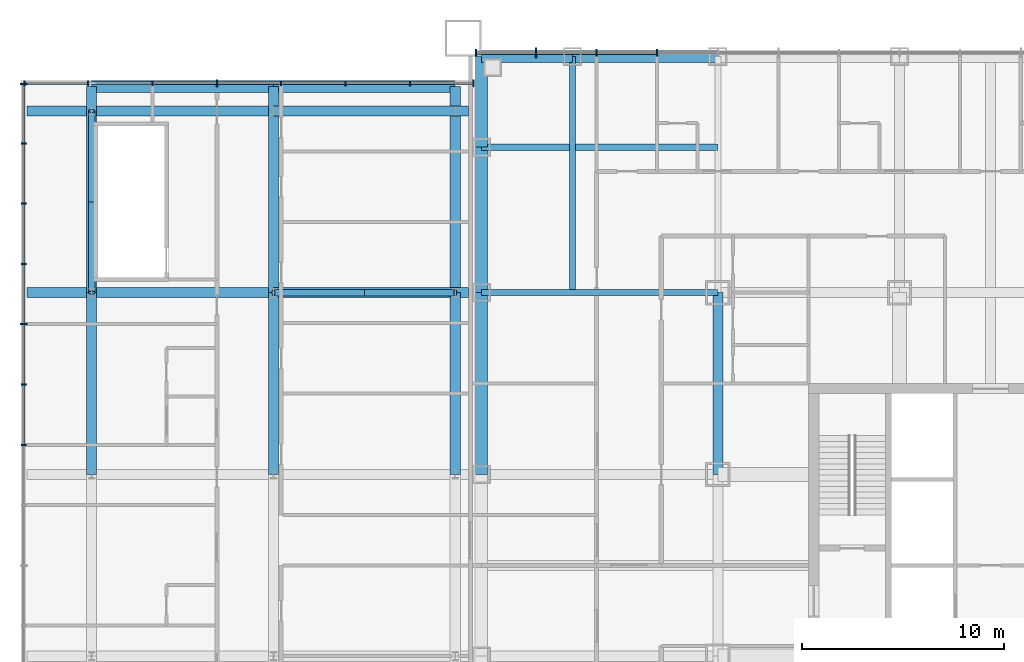
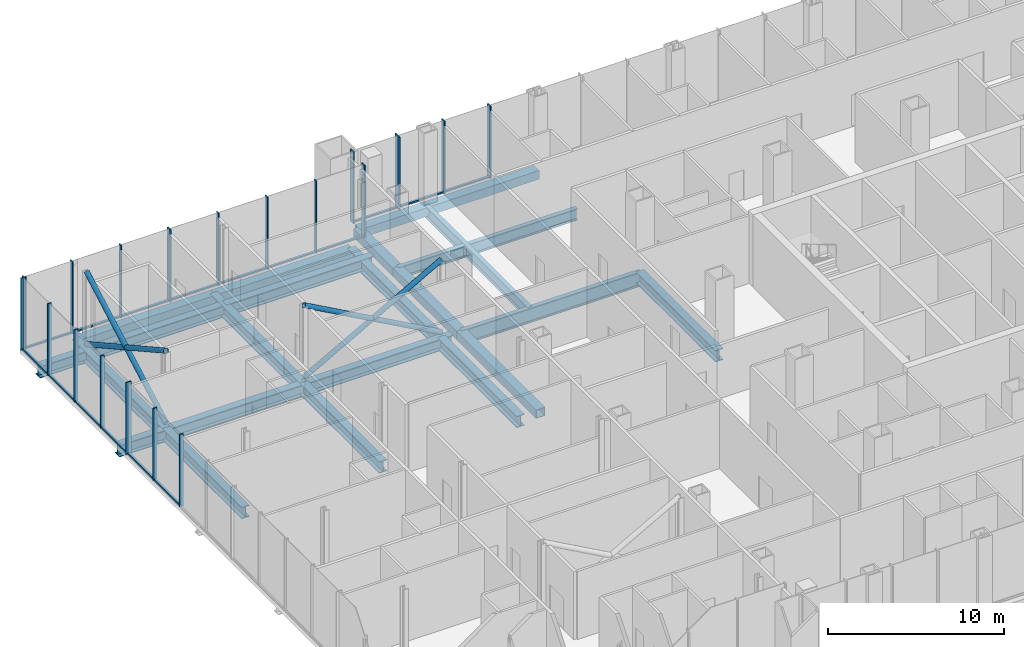
# One storey, part 8 of 28: 39 members, 21 beams, 3 elements without a shape of their own.
"""IFC4 building model written with IfcOpenShell, lengths in metres."""

from ifc_helpers import new_model, si_unit, direction, frame, origin, origin_2d, place, context, subcontext, project, spatial, rectangle, hollow_rectangle, hollow_circle, i_section, extrude, material, layer, layer_set, material_profile, profile_set, type_object, element, aggregate, save


model = new_model("IFC4")

# Units and contexts
model_context = context("Model", 3, precision=1e-05, world=origin(), true_north=direction((0.0, 1.0)))
body_context = subcontext(model_context, "Body", "Model", "MODEL_VIEW")
ifc_project = project(units=[si_unit("LENGTHUNIT", "METRE"), si_unit("AREAUNIT", "SQUARE_METRE"), si_unit("VOLUMEUNIT", "CUBIC_METRE"), si_unit("PLANEANGLEUNIT", "RADIAN"), si_unit("MASSUNIT", "GRAM", prefix="KILO")], contexts=[model_context])

# Site, building, storey
site_placement = place(None, origin())
site = spatial("IfcSite", under=ifc_project, at=site_placement, CompositionType="ELEMENT")
building_placement = place(site_placement, origin())
building = spatial("IfcBuilding", under=site, at=building_placement, Name="Malebo Sky Hospital", CompositionType="ELEMENT")
storey_placement = place(building_placement, frame((0.0, 0.0, 21.0)))
storey = spatial("IfcBuildingStorey", under=building, at=storey_placement, Name="L04", CompositionType="ELEMENT", Elevation=21.0)

# Curtain wall, members
ifc_material_1 = material(Name="Anodised aluminium, natural silver", Category="aluminium")
ifc_layer_1 = layer(ifc_material_1, 0.25)
ifc_layer_set_1 = layer_set([ifc_layer_1], Name="PODIUM CURTAIN WALL")
curtain_wall_type_1 = type_object("IfcCurtainWallType", Name="PODIUM CURTAIN WALL", PredefinedType="NOTDEFINED", material=ifc_layer_set_1)
curtain_wall_1_placement = place(storey_placement, origin())
curtain_wall_1 = element("IfcCurtainWall", 1, at=curtain_wall_1_placement, inside=storey, type_object=curtain_wall_type_1, Name="POD curtain wall WW", PredefinedType="NOTDEFINED")
ifc_material_profile_1 = material_profile(ifc_material_1, rectangle(XDim=0.14990234375, YDim=0.10009765625, at=origin_2d()), Name="ALUMINIUM TRANSOM 150x100")
ifc_profile_set_1 = profile_set([ifc_material_profile_1], Name="Anodised aluminium, natural silver")
member_type_1 = type_object("IfcMemberType", Name="ALUMINIUM TRANSOM 150x100", PredefinedType="USERDEFINED", material=ifc_profile_set_1)
member_1_placement = place(storey_placement, frame((12.125, 85.800048828125, 0.050048828125), z_axis=(0.0, -1.0, 0.0), x_axis=(1.0, 0.0, 0.0)))
member_1 = element("IfcMember", 2, at=member_1_placement, type_object=member_type_1, Name="Transom 1", ObjectType="TRANSOM", PredefinedType="USERDEFINED", context=body_context, shape_type="SweptSolid", body=[
    extrude(rectangle(XDim=0.14990234375, YDim=0.10009765625, at=origin_2d()), origin(), (0.0, 0.0, 1.0), 2.8720703125),
])
member_2_placement = place(storey_placement, frame((12.125, 82.85302734375, 0.050048828125), z_axis=(0.0, -1.0, 0.0), x_axis=(1.0, 0.0, 0.0)))
member_2 = element("IfcMember", 3, at=member_2_placement, type_object=member_type_1, Name="Transom 2", ObjectType="TRANSOM", PredefinedType="USERDEFINED", context=body_context, shape_type="SweptSolid", body=[
    extrude(rectangle(XDim=0.14990234375, YDim=0.10009765625, at=origin_2d()), origin(), (0.0, 0.0, 1.0), 2.909423828125),
])
member_3_placement = place(storey_placement, frame((12.125, 79.86865234375, 0.050048828125), z_axis=(0.0, -1.0, 0.0), x_axis=(1.0, 0.0, 0.0)))
member_3 = element("IfcMember", 4, at=member_3_placement, type_object=member_type_1, Name="Transom 3", ObjectType="TRANSOM", PredefinedType="USERDEFINED", context=body_context, shape_type="SweptSolid", body=[
    extrude(rectangle(XDim=0.14990234375, YDim=0.10009765625, at=origin_2d()), origin(), (0.0, 0.0, 1.0), 2.9091796875),
])
member_4_placement = place(storey_placement, frame((12.125, 76.884521484375, 0.050048828125), z_axis=(0.0, -1.0, 0.0), x_axis=(1.0, 0.0, 0.0)))
member_4 = element("IfcMember", 5, at=member_4_placement, type_object=member_type_1, Name="Transom 4", ObjectType="TRANSOM", PredefinedType="USERDEFINED", context=body_context, shape_type="SweptSolid", body=[
    extrude(rectangle(XDim=0.14990234375, YDim=0.10009765625, at=origin_2d()), origin(), (0.0, 0.0, 1.0), 2.909423828125),
])
member_5_placement = place(storey_placement, frame((12.125, 73.89990234375, 0.050048828125), z_axis=(0.0, -1.0, 0.0), x_axis=(1.0, 0.0, 0.0)))
member_5 = element("IfcMember", 6, at=member_5_placement, type_object=member_type_1, Name="Transom 5", ObjectType="TRANSOM", PredefinedType="USERDEFINED", context=body_context, shape_type="SweptSolid", body=[
    extrude(rectangle(XDim=0.14990234375, YDim=0.10009765625, at=origin_2d()), origin(), (0.0, 0.0, 1.0), 2.909423828125),
])
member_6_placement = place(storey_placement, frame((12.125, 70.91552734375, 0.050048828125), z_axis=(0.0, -1.0, 0.0), x_axis=(1.0, 0.0, 0.0)))
member_6 = element("IfcMember", 7, at=member_6_placement, type_object=member_type_1, Name="Transom 6", ObjectType="TRANSOM", PredefinedType="USERDEFINED", context=body_context, shape_type="SweptSolid", body=[
    extrude(rectangle(XDim=0.14990234375, YDim=0.10009765625, at=origin_2d()), origin(), (0.0, 0.0, 1.0), 2.9091796875),
])

curtain_wall_2_placement = place(storey_placement, origin())
curtain_wall_2 = element("IfcCurtainWall", 8, at=curtain_wall_2_placement, inside=storey, type_object=curtain_wall_type_1, Name="POD curtain wall WN", PredefinedType="NOTDEFINED")
member_7_placement = place(storey_placement, frame((34.375, 85.875, 0.050048828125), z_axis=(-1.0, 0.0, 0.0), x_axis=(0.0, -1.0, 0.0)))
member_7 = element("IfcMember", 9, at=member_7_placement, type_object=member_type_1, Name="Transom 1", ObjectType="TRANSOM", PredefinedType="USERDEFINED", context=body_context, shape_type="SweptSolid", body=[
    extrude(rectangle(XDim=0.14990234375, YDim=0.10009765625, at=origin_2d()), origin(), (0.0, 0.0, 1.0), 3.076904296875),
])
member_8_placement = place(storey_placement, frame((31.22314453125, 85.875, 0.050048828125), z_axis=(-1.0, 0.0, 0.0), x_axis=(0.0, -1.0, 0.0)))
member_8 = element("IfcMember", 10, at=member_8_placement, type_object=member_type_1, Name="Transom 2", ObjectType="TRANSOM", PredefinedType="USERDEFINED", context=body_context, shape_type="SweptSolid", body=[
    extrude(rectangle(XDim=0.14990234375, YDim=0.10009765625, at=origin_2d()), origin(), (0.0, 0.0, 1.0), 3.1142578125),
])
member_9_placement = place(storey_placement, frame((28.033935546875, 85.875, 0.050048828125), z_axis=(-1.0, 0.0, 0.0), x_axis=(0.0, -1.0, 0.0)))
member_9 = element("IfcMember", 11, at=member_9_placement, type_object=member_type_1, Name="Transom 3", ObjectType="TRANSOM", PredefinedType="USERDEFINED", context=body_context, shape_type="SweptSolid", body=[
    extrude(rectangle(XDim=0.14990234375, YDim=0.10009765625, at=origin_2d()), origin(), (0.0, 0.0, 1.0), 3.1142578125),
])
member_10_placement = place(storey_placement, frame((24.844482421875, 85.875, 0.050048828125), z_axis=(-1.0, 0.0, 0.0), x_axis=(0.0, -1.0, 0.0)))
member_10 = element("IfcMember", 12, at=member_10_placement, type_object=member_type_1, Name="Transom 4", ObjectType="TRANSOM", PredefinedType="USERDEFINED", context=body_context, shape_type="SweptSolid", body=[
    extrude(rectangle(XDim=0.14990234375, YDim=0.10009765625, at=origin_2d()), origin(), (0.0, 0.0, 1.0), 3.114013671875),
])
member_11_placement = place(storey_placement, frame((21.655517578125, 85.875, 0.050048828125), z_axis=(-1.0, 0.0, 0.0), x_axis=(0.0, -1.0, 0.0)))
member_11 = element("IfcMember", 13, at=member_11_placement, type_object=member_type_1, Name="Transom 5", ObjectType="TRANSOM", PredefinedType="USERDEFINED", context=body_context, shape_type="SweptSolid", body=[
    extrude(rectangle(XDim=0.14990234375, YDim=0.10009765625, at=origin_2d()), origin(), (0.0, 0.0, 1.0), 3.114501953125),
])
member_12_placement = place(storey_placement, frame((18.466064453125, 85.875, 0.050048828125), z_axis=(-1.0, 0.0, 0.0), x_axis=(0.0, -1.0, 0.0)))
member_12 = element("IfcMember", 14, at=member_12_placement, type_object=member_type_1, Name="Transom 6", ObjectType="TRANSOM", PredefinedType="USERDEFINED", context=body_context, shape_type="SweptSolid", body=[
    extrude(rectangle(XDim=0.14990234375, YDim=0.10009765625, at=origin_2d()), origin(), (0.0, 0.0, 1.0), 3.1142578125),
])
member_13_placement = place(storey_placement, frame((15.27685546875, 85.875, 0.050048828125), z_axis=(-1.0, 0.0, 0.0), x_axis=(0.0, -1.0, 0.0)))
member_13 = element("IfcMember", 15, at=member_13_placement, type_object=member_type_1, Name="Transom 7", ObjectType="TRANSOM", PredefinedType="USERDEFINED", context=body_context, shape_type="SweptSolid", body=[
    extrude(rectangle(XDim=0.14990234375, YDim=0.10009765625, at=origin_2d()), origin(), (0.0, 0.0, 1.0), 3.076904296875),
])

ifc_layer_2 = layer(ifc_material_1, 0.25)
ifc_layer_set_2 = layer_set([ifc_layer_2], Name="PODIUM ENTRANCE BAY CURTAIN WALL")
curtain_wall_type_2 = type_object("IfcCurtainWallType", Name="PODIUM ENTRANCE BAY CURTAIN WALL", PredefinedType="NOTDEFINED", material=ifc_layer_set_2)
curtain_wall_3_placement = place(storey_placement, origin())
curtain_wall_3 = element("IfcCurtainWall", 16, at=curtain_wall_3_placement, inside=storey, type_object=curtain_wall_type_2, Name="BAY curtain wall BN", PredefinedType="NOTDEFINED")
member_14_placement = place(storey_placement, frame((43.46240234375, 87.375, 0.050048828125), z_axis=(-1.0, 0.0, 0.0), x_axis=(0.0, -1.0, 0.0)))
member_14 = element("IfcMember", 17, at=member_14_placement, type_object=member_type_1, Name="Transom 15", ObjectType="TRANSOM", PredefinedType="USERDEFINED", context=body_context, shape_type="SweptSolid", body=[
    extrude(rectangle(XDim=0.14990234375, YDim=0.10009765625, at=origin_2d()), origin(), (0.0, 0.0, 1.0), 2.9248046875),
])
member_15_placement = place(storey_placement, frame((40.46240234375, 87.375, 0.050048828125), z_axis=(-1.0, 0.0, 0.0), x_axis=(0.0, -1.0, 0.0)))
member_15 = element("IfcMember", 18, at=member_15_placement, type_object=member_type_1, Name="Transom 16", ObjectType="TRANSOM", PredefinedType="USERDEFINED", context=body_context, shape_type="SweptSolid", body=[
    extrude(rectangle(XDim=0.14990234375, YDim=0.10009765625, at=origin_2d()), origin(), (0.0, 0.0, 1.0), 2.9248046875),
])
member_16_placement = place(storey_placement, frame((37.46240234375, 87.375, 0.050048828125), z_axis=(-1.0, 0.0, 0.0), x_axis=(0.0, -1.0, 0.0)))
member_16 = element("IfcMember", 19, at=member_16_placement, type_object=member_type_1, Name="Transom 17", ObjectType="TRANSOM", PredefinedType="USERDEFINED", context=body_context, shape_type="SweptSolid", body=[
    extrude(rectangle(XDim=0.14990234375, YDim=0.10009765625, at=origin_2d()), origin(), (0.0, 0.0, 1.0), 2.887451171875),
])

# Member
ifc_material_profile_2 = material_profile(ifc_material_1, rectangle(XDim=0.074951171875, YDim=0.25, at=origin_2d()), Name="CW3 ALUMINIUM FIN MULLION 75x250")
ifc_profile_set_2 = profile_set([ifc_material_profile_2], Name="Anodised aluminium, natural silver")
member_type_2 = type_object("IfcMemberType", Name="CW3 ALUMINIUM FIN MULLION 75x250", PredefinedType="MULLION", material=ifc_profile_set_2)
member_17_placement = place(storey_placement, frame((12.125, 82.890625, 0.0), z_axis=(0.0, 0.0, 1.0), x_axis=(0.0, -1.0, 0.0)))
member_17 = element("IfcMember", 20, at=member_17_placement, type_object=member_type_2, Name="Fin mullion 2", PredefinedType="MULLION", context=body_context, shape_type="SweptSolid", body=[
    extrude(rectangle(XDim=0.074951171875, YDim=0.25, at=origin_2d()), origin(), (0.0, 0.0, 1.0), 5.0),
])

member_18_placement = place(storey_placement, frame((12.125, 79.90625, 0.0), z_axis=(0.0, 0.0, 1.0), x_axis=(0.0, -1.0, 0.0)))
member_18 = element("IfcMember", 21, at=member_18_placement, type_object=member_type_2, Name="Fin mullion 3", PredefinedType="MULLION", context=body_context, shape_type="SweptSolid", body=[
    extrude(rectangle(XDim=0.074951171875, YDim=0.25, at=origin_2d()), origin(), (0.0, 0.0, 1.0), 5.0),
])

member_19_placement = place(storey_placement, frame((12.125, 76.921875, 0.0), z_axis=(0.0, 0.0, 1.0), x_axis=(0.0, -1.0, 0.0)))
member_19 = element("IfcMember", 22, at=member_19_placement, type_object=member_type_2, Name="Fin mullion 4", PredefinedType="MULLION", context=body_context, shape_type="SweptSolid", body=[
    extrude(rectangle(XDim=0.074951171875, YDim=0.25, at=origin_2d()), origin(), (0.0, 0.0, 1.0), 5.0),
])

member_20_placement = place(storey_placement, frame((12.125, 70.953125, 0.0), z_axis=(0.0, 0.0, 1.0), x_axis=(0.0, -1.0, 0.0)))
member_20 = element("IfcMember", 23, at=member_20_placement, type_object=member_type_2, Name="Fin mullion 6", PredefinedType="MULLION", context=body_context, shape_type="SweptSolid", body=[
    extrude(rectangle(XDim=0.074951171875, YDim=0.25, at=origin_2d()), origin(), (0.0, 0.0, 1.0), 5.0),
])

member_21_placement = place(storey_placement, frame((12.125, 67.96875, 0.0), z_axis=(0.0, 0.0, 1.0), x_axis=(0.0, -1.0, 0.0)))
member_21 = element("IfcMember", 24, at=member_21_placement, type_object=member_type_2, Name="Fin mullion 7", PredefinedType="MULLION", context=body_context, shape_type="SweptSolid", body=[
    extrude(rectangle(XDim=0.074951171875, YDim=0.25, at=origin_2d()), origin(), (0.0, 0.0, 1.0), 5.0),
])

member_22_placement = place(storey_placement, frame((31.2607421875, 85.875, 0.0), z_axis=(0.0, 0.0, 1.0), x_axis=(-1.0, 0.0, 0.0)))
member_22 = element("IfcMember", 25, at=member_22_placement, type_object=member_type_2, Name="Fin mullion 2", PredefinedType="MULLION", context=body_context, shape_type="SweptSolid", body=[
    extrude(rectangle(XDim=0.074951171875, YDim=0.25, at=origin_2d()), origin(), (0.0, 0.0, 1.0), 5.0),
])

member_23_placement = place(storey_placement, frame((28.0712890625, 85.875, 0.0), z_axis=(0.0, 0.0, 1.0), x_axis=(-1.0, 0.0, 0.0)))
member_23 = element("IfcMember", 26, at=member_23_placement, type_object=member_type_2, Name="Fin mullion 3", PredefinedType="MULLION", context=body_context, shape_type="SweptSolid", body=[
    extrude(rectangle(XDim=0.074951171875, YDim=0.25, at=origin_2d()), origin(), (0.0, 0.0, 1.0), 5.0),
])

member_24_placement = place(storey_placement, frame((24.882080078125, 85.875, 0.0), z_axis=(0.0, 0.0, 1.0), x_axis=(-1.0, 0.0, 0.0)))
member_24 = element("IfcMember", 27, at=member_24_placement, type_object=member_type_2, Name="Fin mullion 4", PredefinedType="MULLION", context=body_context, shape_type="SweptSolid", body=[
    extrude(rectangle(XDim=0.074951171875, YDim=0.25, at=origin_2d()), origin(), (0.0, 0.0, 1.0), 5.0),
])

member_25_placement = place(storey_placement, frame((18.503662109375, 85.875, 0.0), z_axis=(0.0, 0.0, 1.0), x_axis=(-1.0, 0.0, 0.0)))
member_25 = element("IfcMember", 28, at=member_25_placement, type_object=member_type_2, Name="Fin mullion 6", PredefinedType="MULLION", context=body_context, shape_type="SweptSolid", body=[
    extrude(rectangle(XDim=0.074951171875, YDim=0.25, at=origin_2d()), origin(), (0.0, 0.0, 1.0), 5.0),
])

member_26_placement = place(storey_placement, frame((15.314208984375, 85.875, 0.0), z_axis=(0.0, 0.0, 1.0), x_axis=(-1.0, 0.0, 0.0)))
member_26 = element("IfcMember", 29, at=member_26_placement, type_object=member_type_2, Name="Fin mullion 7", PredefinedType="MULLION", context=body_context, shape_type="SweptSolid", body=[
    extrude(rectangle(XDim=0.074951171875, YDim=0.25, at=origin_2d()), origin(), (0.0, 0.0, 1.0), 5.0),
])

member_27_placement = place(storey_placement, frame((12.16259765625, 85.875, 0.0), z_axis=(0.0, 0.0, 1.0), x_axis=(-1.0, 0.0, 0.0)))
member_27 = element("IfcMember", 30, at=member_27_placement, type_object=member_type_2, Name="Fin mullion 8", PredefinedType="MULLION", context=body_context, shape_type="SweptSolid", body=[
    extrude(rectangle(XDim=0.074951171875, YDim=0.25, at=origin_2d()), origin(), (0.0, 0.0, 1.0), 5.0),
])

ifc_material_profile_3 = material_profile(ifc_material_1, rectangle(XDim=0.074951171875, YDim=0.35009765625, at=origin_2d()), Name="CW3 ALUMINIUM FIN MULLION 75x350")
ifc_profile_set_3 = profile_set([ifc_material_profile_3], Name="Anodised aluminium, natural silver")
member_type_3 = type_object("IfcMemberType", Name="CW3 ALUMINIUM FIN MULLION 75x350", PredefinedType="MULLION", material=ifc_profile_set_3)
member_28_placement = place(storey_placement, frame((12.125, 85.83740234375, 0.0), z_axis=(0.0, 0.0, 1.0), x_axis=(0.0, -1.0, 0.0)))
member_28 = element("IfcMember", 31, at=member_28_placement, type_object=member_type_3, Name="Fin mullion 1", PredefinedType="MULLION", context=body_context, shape_type="SweptSolid", body=[
    extrude(rectangle(XDim=0.074951171875, YDim=0.35009765625, at=origin_2d()), origin(), (0.0, 0.0, 1.0), 5.0),
])

member_29_placement = place(storey_placement, frame((12.125, 73.9375, 0.0), z_axis=(0.0, 0.0, 1.0), x_axis=(0.0, -1.0, 0.0)))
member_29 = element("IfcMember", 32, at=member_29_placement, type_object=member_type_3, Name="Fin mullion 5", PredefinedType="MULLION", context=body_context, shape_type="SweptSolid", body=[
    extrude(rectangle(XDim=0.074951171875, YDim=0.35009765625, at=origin_2d()), origin(), (0.0, 0.0, 1.0), 5.0),
])

aggregate(curtain_wall_1, [member_28, member_17, member_18, member_19, member_29, member_20, member_21, member_1, member_2, member_3, member_4, member_5, member_6])

member_30_placement = place(storey_placement, frame((34.41259765625, 85.875, 0.0), z_axis=(0.0, 0.0, 1.0), x_axis=(-1.0, 0.0, 0.0)))
member_30 = element("IfcMember", 33, at=member_30_placement, type_object=member_type_3, Name="Fin mullion 1", PredefinedType="MULLION", context=body_context, shape_type="SweptSolid", body=[
    extrude(rectangle(XDim=0.074951171875, YDim=0.35009765625, at=origin_2d()), origin(), (0.0, 0.0, 1.0), 5.0),
])

member_31_placement = place(storey_placement, frame((21.69287109375, 85.875, 0.0), z_axis=(0.0, 0.0, 1.0), x_axis=(-1.0, 0.0, 0.0)))
member_31 = element("IfcMember", 34, at=member_31_placement, type_object=member_type_3, Name="Fin mullion 5", PredefinedType="MULLION", context=body_context, shape_type="SweptSolid", body=[
    extrude(rectangle(XDim=0.074951171875, YDim=0.35009765625, at=origin_2d()), origin(), (0.0, 0.0, 1.0), 5.0),
])

aggregate(curtain_wall_2, [member_30, member_22, member_23, member_24, member_31, member_25, member_26, member_27, member_7, member_8, member_9, member_10, member_11, member_12, member_13])

ifc_material_profile_4 = material_profile(ifc_material_1, rectangle(XDim=0.074951171875, YDim=0.35009765625, at=origin_2d()), Name="CW4 ALUMINIUM FIN MULLION 75x350")
ifc_profile_set_4 = profile_set([ifc_material_profile_4], Name="Anodised aluminium, natural silver")
member_type_4 = type_object("IfcMemberType", Name="CW4 ALUMINIUM FIN MULLION 75x350", PredefinedType="MULLION", material=ifc_profile_set_4)
member_32_placement = place(storey_placement, frame((43.5, 87.375, 0.0), z_axis=(0.0, 0.0, 1.0), x_axis=(-1.0, 0.0, 0.0)))
member_32 = element("IfcMember", 35, at=member_32_placement, type_object=member_type_4, Name="Fin mullion 15", PredefinedType="MULLION", context=body_context, shape_type="SweptSolid", body=[
    extrude(rectangle(XDim=0.074951171875, YDim=0.35009765625, at=origin_2d()), origin(), (0.0, 0.0, 1.0), 5.0),
])

member_33_placement = place(storey_placement, frame((40.5, 87.375, 0.0), z_axis=(0.0, 0.0, 1.0), x_axis=(-1.0, 0.0, 0.0)))
member_33 = element("IfcMember", 36, at=member_33_placement, type_object=member_type_4, Name="Fin mullion 16", PredefinedType="MULLION", context=body_context, shape_type="SweptSolid", body=[
    extrude(rectangle(XDim=0.074951171875, YDim=0.35009765625, at=origin_2d()), origin(), (0.0, 0.0, 1.0), 5.0),
])

member_34_placement = place(storey_placement, frame((34.53759765625, 87.375, 0.0), z_axis=(0.0, 0.0, 1.0), x_axis=(-1.0, 0.0, 0.0)))
member_34 = element("IfcMember", 37, at=member_34_placement, type_object=member_type_4, Name="Fin mullion 18", PredefinedType="MULLION", context=body_context, shape_type="SweptSolid", body=[
    extrude(rectangle(XDim=0.074951171875, YDim=0.35009765625, at=origin_2d()), origin(), (0.0, 0.0, 1.0), 5.0),
])

ifc_material_profile_5 = material_profile(ifc_material_1, rectangle(XDim=0.074951171875, YDim=0.5, at=origin_2d()), Name="CW4 ALUMINIUM FIN MULLION 75x500")
ifc_profile_set_5 = profile_set([ifc_material_profile_5], Name="Anodised aluminium, natural silver")
member_type_5 = type_object("IfcMemberType", Name="CW4 ALUMINIUM FIN MULLION 75x500", PredefinedType="MULLION", material=ifc_profile_set_5)
member_35_placement = place(storey_placement, frame((37.5, 87.375, 0.0), z_axis=(0.0, 0.0, 1.0), x_axis=(-1.0, 0.0, 0.0)))
member_35 = element("IfcMember", 38, at=member_35_placement, type_object=member_type_5, Name="Fin mullion 17", PredefinedType="MULLION", context=body_context, shape_type="SweptSolid", body=[
    extrude(rectangle(XDim=0.074951171875, YDim=0.5, at=origin_2d()), origin(), (0.0, 0.0, 1.0), 5.0),
])

aggregate(curtain_wall_3, [member_32, member_33, member_35, member_34, member_14, member_15, member_16])

# Beams
ifc_material_2 = material(Name="Steel S460", Category="steel")
ifc_material_profile_6 = material_profile(ifc_material_2, hollow_rectangle(XDim=0.60009765625, YDim=0.60009765625, WallThickness=0.0400390625, at=origin_2d()), Name="BOX 600x600x40")
ifc_profile_set_6 = profile_set([ifc_material_profile_6], Name="Steel S460")
beam_type_1 = type_object("IfcBeamType", Name="EDGE BEAM BOX 600x600x40", PredefinedType="BEAM", material=ifc_profile_set_6)
beam_1_placement = place(storey_placement, frame((34.800048828125, 66.5, -0.60009765625), z_axis=(0.0, 1.0, 0.0), x_axis=(-1.0, 0.0, 0.0)))
element("IfcBeam", 39, at=beam_1_placement, inside=storey, type_object=beam_type_1, Name="Beam 004 L04", PredefinedType="BEAM", context=body_context, shape_type="SweptSolid", body=[
    extrude(hollow_rectangle(XDim=0.60009765625, YDim=0.60009765625, WallThickness=0.0400390625, at=origin_2d()), origin(), (0.0, 0.0, 1.0), 9.0),
])
beam_2_placement = place(storey_placement, frame((34.800048828125, 75.5, -0.60009765625), z_axis=(0.0, 1.0, 0.0), x_axis=(-1.0, 0.0, 0.0)))
element("IfcBeam", 40, at=beam_2_placement, inside=storey, type_object=beam_type_1, Name="Beam 005 L04", PredefinedType="BEAM", context=body_context, shape_type="SweptSolid", body=[
    extrude(hollow_rectangle(XDim=0.60009765625, YDim=0.60009765625, WallThickness=0.0400390625, at=origin_2d()), origin(), (0.0, 0.0, 1.0), 7.199951171875),
])
for number, where, z_axis, x_axis, name in (
    (41, (34.800048828125, 82.699951171875, -0.60009765625), (0.0, 1.0, 0.0), (-1.0, 0.0, 0.0), "Beam 006 L04"),
    (42, (34.800048828125, 87.199951171875, -0.60009765625), (1.0, 0.0, 0.0), (0.0, 1.0, 0.0), "Beam 069 L04"),
):
    element("IfcBeam", number, at=place(storey_placement, frame(where, z_axis=z_axis, x_axis=x_axis)), inside=storey, type_object=beam_type_1, Name=name, PredefinedType="BEAM", context=body_context, shape_type="SweptSolid", body=[
        extrude(hollow_rectangle(XDim=0.60009765625, YDim=0.60009765625, WallThickness=0.0400390625, at=origin_2d()), origin(), (0.0, 0.0, 1.0), 4.5),
    ])
beam_3_placement = place(storey_placement, frame((39.300048828125, 87.199951171875, -0.60009765625), z_axis=(1.0, 0.0, 0.0), x_axis=(0.0, 1.0, 0.0)))
element("IfcBeam", 43, at=beam_3_placement, inside=storey, type_object=beam_type_1, Name="Beam 070 L04", PredefinedType="BEAM", context=body_context, shape_type="SweptSolid", body=[
    extrude(hollow_rectangle(XDim=0.60009765625, YDim=0.60009765625, WallThickness=0.0400390625, at=origin_2d()), origin(), (0.0, 0.0, 1.0), 7.199951171875),
])
for number, where, z_axis, x_axis, name in (
    (44, (15.5, 85.699951171875, -0.60009765625), (1.0, 0.0, 0.0), (0.0, 1.0, 0.0), "Beam W030 L04"),
    (45, (24.5, 85.699951171875, -0.60009765625), (1.0, 0.0, 0.0), (0.0, 1.0, 0.0), "Beam W031 L04"),
):
    element("IfcBeam", number, at=place(storey_placement, frame(where, z_axis=z_axis, x_axis=x_axis)), inside=storey, type_object=beam_type_1, Name=name, PredefinedType="BEAM", context=body_context, shape_type="SweptSolid", body=[
        extrude(hollow_rectangle(XDim=0.60009765625, YDim=0.60009765625, WallThickness=0.0400390625, at=origin_2d()), origin(), (0.0, 0.0, 1.0), 9.0),
    ])
ifc_material_3 = material(Name="Steel S355", Category="steel")
ifc_material_profile_7 = material_profile(ifc_material_3, i_section(OverallWidth=0.300048828125, OverallDepth=0.800048828125, WebThickness=0.017578125, FlangeThickness=0.032958984375, FilletRadius=0.030029296875, at=origin_2d()), Name="HEB 800")
ifc_profile_set_7 = profile_set([ifc_material_profile_7], Name="Steel S355")
beam_type_2 = type_object("IfcBeamType", Name="FLOOR BEAM HEB 800", PredefinedType="BEAM", material=ifc_profile_set_7)
for number, where, z_axis, x_axis, name in (
    (46, (39.300048828125, 75.5, -0.699951171875), (0.0, 1.0, 0.0), (-1.0, 0.0, 0.0), "Beam 008 L04"),
    (47, (34.800048828125, 82.699951171875, -0.699951171875), (1.0, 0.0, 0.0), (0.0, 1.0, 0.0), "Beam 067 L04"),
):
    element("IfcBeam", number, at=place(storey_placement, frame(where, z_axis=z_axis, x_axis=x_axis)), inside=storey, type_object=beam_type_2, Name=name, PredefinedType="BEAM", context=body_context, shape_type="SweptSolid", body=[
        extrude(i_section(OverallWidth=0.300048828125, OverallDepth=0.800048828125, WebThickness=0.017578125, FlangeThickness=0.032958984375, FilletRadius=0.030029296875, at=origin_2d()), origin(), (0.0, 0.0, 1.0), 11.699951171875),
    ])
ifc_material_profile_8 = material_profile(ifc_material_3, i_section(OverallWidth=0.5, OverallDepth=0.800048828125, WebThickness=0.030029296875, FlangeThickness=0.050048828125, at=origin_2d()), Name="PG 800x500x30x50")
ifc_profile_set_8 = profile_set([ifc_material_profile_8], Name="Steel S355")
beam_type_3 = type_object("IfcBeamType", Name="FLOOR BEAM PG 800x500x30x50", PredefinedType="BEAM", material=ifc_profile_set_8)
for number, where, z_axis, x_axis, name in (
    (48, (46.5, 66.5, -0.699951171875), (0.0, 1.0, 0.0), (-1.0, 0.0, 0.0), "Beam 012 L04"),
    (49, (15.5, 66.5, -0.699951171875), (0.0, 1.0, 0.0), (-1.0, 0.0, 0.0), "Beam W004 L04"),
):
    element("IfcBeam", number, at=place(storey_placement, frame(where, z_axis=z_axis, x_axis=x_axis)), inside=storey, type_object=beam_type_3, Name=name, PredefinedType="BEAM", context=body_context, shape_type="SweptSolid", body=[
        extrude(i_section(OverallWidth=0.5, OverallDepth=0.800048828125, WebThickness=0.030029296875, FlangeThickness=0.050048828125, at=origin_2d()), origin(), (0.0, 0.0, 1.0), 9.0),
    ])
beam_4_placement = place(storey_placement, frame((15.5, 75.5, -0.699951171875), z_axis=(0.0, 1.0, 0.0), x_axis=(-1.0, 0.0, 0.0)))
element("IfcBeam", 50, at=beam_4_placement, inside=storey, type_object=beam_type_3, Name="Beam W005 L04", PredefinedType="BEAM", context=body_context, shape_type="SweptSolid", body=[
    extrude(i_section(OverallWidth=0.5, OverallDepth=0.800048828125, WebThickness=0.030029296875, FlangeThickness=0.050048828125, at=origin_2d()), origin(), (0.0, 0.0, 1.0), 10.199951171875),
])
beam_5_placement = place(storey_placement, frame((24.5, 66.5, -0.699951171875), z_axis=(0.0, 1.0, 0.0), x_axis=(-1.0, 0.0, 0.0)))
element("IfcBeam", 51, at=beam_5_placement, inside=storey, type_object=beam_type_3, Name="Beam W009 L04", PredefinedType="BEAM", context=body_context, shape_type="SweptSolid", body=[
    extrude(i_section(OverallWidth=0.5, OverallDepth=0.800048828125, WebThickness=0.030029296875, FlangeThickness=0.050048828125, at=origin_2d()), origin(), (0.0, 0.0, 1.0), 9.0),
])
beam_6_placement = place(storey_placement, frame((24.5, 75.5, -0.699951171875), z_axis=(0.0, 1.0, 0.0), x_axis=(-1.0, 0.0, 0.0)))
element("IfcBeam", 52, at=beam_6_placement, inside=storey, type_object=beam_type_3, Name="Beam W010 L04", PredefinedType="BEAM", context=body_context, shape_type="SweptSolid", body=[
    extrude(i_section(OverallWidth=0.5, OverallDepth=0.800048828125, WebThickness=0.030029296875, FlangeThickness=0.050048828125, at=origin_2d()), origin(), (0.0, 0.0, 1.0), 10.199951171875),
])
beam_7_placement = place(storey_placement, frame((33.5, 66.5, -0.699951171875), z_axis=(0.0, 1.0, 0.0), x_axis=(-1.0, 0.0, 0.0)))
element("IfcBeam", 53, at=beam_7_placement, inside=storey, type_object=beam_type_3, Name="Beam W014 L04", PredefinedType="BEAM", context=body_context, shape_type="SweptSolid", body=[
    extrude(i_section(OverallWidth=0.5, OverallDepth=0.800048828125, WebThickness=0.030029296875, FlangeThickness=0.050048828125, at=origin_2d()), origin(), (0.0, 0.0, 1.0), 9.0),
])
beam_8_placement = place(storey_placement, frame((33.5, 75.5, -0.699951171875), z_axis=(0.0, 1.0, 0.0), x_axis=(-1.0, 0.0, 0.0)))
element("IfcBeam", 54, at=beam_8_placement, inside=storey, type_object=beam_type_3, Name="Beam W015 L04", PredefinedType="BEAM", context=body_context, shape_type="SweptSolid", body=[
    extrude(i_section(OverallWidth=0.5, OverallDepth=0.800048828125, WebThickness=0.030029296875, FlangeThickness=0.050048828125, at=origin_2d()), origin(), (0.0, 0.0, 1.0), 10.199951171875),
])
beam_9_placement = place(storey_placement, frame((12.300048828125, 75.5, -0.699951171875), z_axis=(1.0, 0.0, 0.0), x_axis=(0.0, 1.0, 0.0)))
element("IfcBeam", 55, at=beam_9_placement, inside=storey, type_object=beam_type_3, Name="Beam W024 L04", PredefinedType="BEAM", context=body_context, shape_type="SweptSolid", body=[
    extrude(i_section(OverallWidth=0.5, OverallDepth=0.800048828125, WebThickness=0.030029296875, FlangeThickness=0.050048828125, at=origin_2d()), origin(), (0.0, 0.0, 1.0), 12.199951171875),
])
beam_10_placement = place(storey_placement, frame((24.5, 75.5, -0.699951171875), z_axis=(1.0, 0.0, 0.0), x_axis=(0.0, 1.0, 0.0)))
element("IfcBeam", 56, at=beam_10_placement, inside=storey, type_object=beam_type_3, Name="Beam W025 L04", PredefinedType="BEAM", context=body_context, shape_type="SweptSolid", body=[
    extrude(i_section(OverallWidth=0.5, OverallDepth=0.800048828125, WebThickness=0.030029296875, FlangeThickness=0.050048828125, at=origin_2d()), origin(), (0.0, 0.0, 1.0), 9.64990234375),
])
beam_11_placement = place(storey_placement, frame((12.300048828125, 84.5, -0.699951171875), z_axis=(1.0, 0.0, 0.0), x_axis=(0.0, 1.0, 0.0)))
element("IfcBeam", 57, at=beam_11_placement, inside=storey, type_object=beam_type_3, Name="Beam W026 L04", PredefinedType="BEAM", context=body_context, shape_type="SweptSolid", body=[
    extrude(i_section(OverallWidth=0.5, OverallDepth=0.800048828125, WebThickness=0.030029296875, FlangeThickness=0.050048828125, at=origin_2d()), origin(), (0.0, 0.0, 1.0), 12.199951171875),
])
beam_12_placement = place(storey_placement, frame((24.5, 84.5, -0.699951171875), z_axis=(1.0, 0.0, 0.0), x_axis=(0.0, 1.0, 0.0)))
element("IfcBeam", 58, at=beam_12_placement, inside=storey, type_object=beam_type_3, Name="Beam W027 L04", PredefinedType="BEAM", context=body_context, shape_type="SweptSolid", body=[
    extrude(i_section(OverallWidth=0.5, OverallDepth=0.800048828125, WebThickness=0.030029296875, FlangeThickness=0.050048828125, at=origin_2d()), origin(), (0.0, 0.0, 1.0), 9.64990234375),
])
ifc_material_profile_9 = material_profile(ifc_material_3, i_section(OverallWidth=0.300048828125, OverallDepth=1.0, WebThickness=0.01904296875, FlangeThickness=0.035888671875, FilletRadius=0.030029296875, at=origin_2d()), Name="HEB 1000")
ifc_profile_set_9 = profile_set([ifc_material_profile_9], Name="Steel S355")
beam_type_4 = type_object("IfcBeamType", Name="FLOOR GIRDER HEB 1000", PredefinedType="BEAM", material=ifc_profile_set_9)
beam_13_placement = place(storey_placement, frame((34.800048828125, 75.5, -0.800048828125), z_axis=(1.0, 0.0, 0.0), x_axis=(0.0, 1.0, 0.0)))
element("IfcBeam", 59, at=beam_13_placement, inside=storey, type_object=beam_type_4, Name="Beam 062 L04", PredefinedType="BEAM", context=body_context, shape_type="SweptSolid", body=[
    extrude(i_section(OverallWidth=0.300048828125, OverallDepth=1.0, WebThickness=0.01904296875, FlangeThickness=0.035888671875, FilletRadius=0.030029296875, at=origin_2d()), origin(), (0.0, 0.0, 1.0), 11.699951171875),
])

# Members
ifc_material_profile_10 = material_profile(ifc_material_2, hollow_circle(Radius=0.161865234375, WallThickness=0.012451171875, at=origin_2d()), Name="CHS 323.9x12.5")
ifc_profile_set_10 = profile_set([ifc_material_profile_10], Name="Steel S460")
member_type_6 = type_object("IfcMemberType", Name="WING BRACE CHS 323.9x12.5", PredefinedType="BRACE", material=ifc_profile_set_10)
for number, where, z_axis, x_axis, name in (
    (60, (15.5, 75.5, 0.0), (0.0, 0.874157276122, 0.485642931179), (-1.0, 0.0, 0.0), "Wing brace W1.1 L04"),
    (61, (15.5, 84.5, 0.0), (0.0, -0.874157276122, 0.485642931179), (1.0, 0.0, 0.0), "Wing brace W1.2 L04"),
    (62, (24.5, 75.5, 0.0), (0.874157276122, 0.0, 0.485642931179), (0.0, 1.0, 0.0), "Wing brace W3.1 L04"),
    (63, (33.5, 75.5, 0.0), (-0.874157276122, 0.0, 0.485642931179), (0.0, -1.0, 0.0), "Wing brace W3.2 L04"),
):
    element("IfcMember", number, at=place(storey_placement, frame(where, z_axis=z_axis, x_axis=x_axis)), inside=storey, type_object=member_type_6, Name=name, PredefinedType="BRACE", context=body_context, shape_type="SweptSolid", body=[
        extrude(hollow_circle(Radius=0.161865234375, WallThickness=0.012451171875, at=origin_2d()), origin(), (0.0, 0.0, 1.0), 10.295654296875),
    ])

save(model, "model.ifc")
